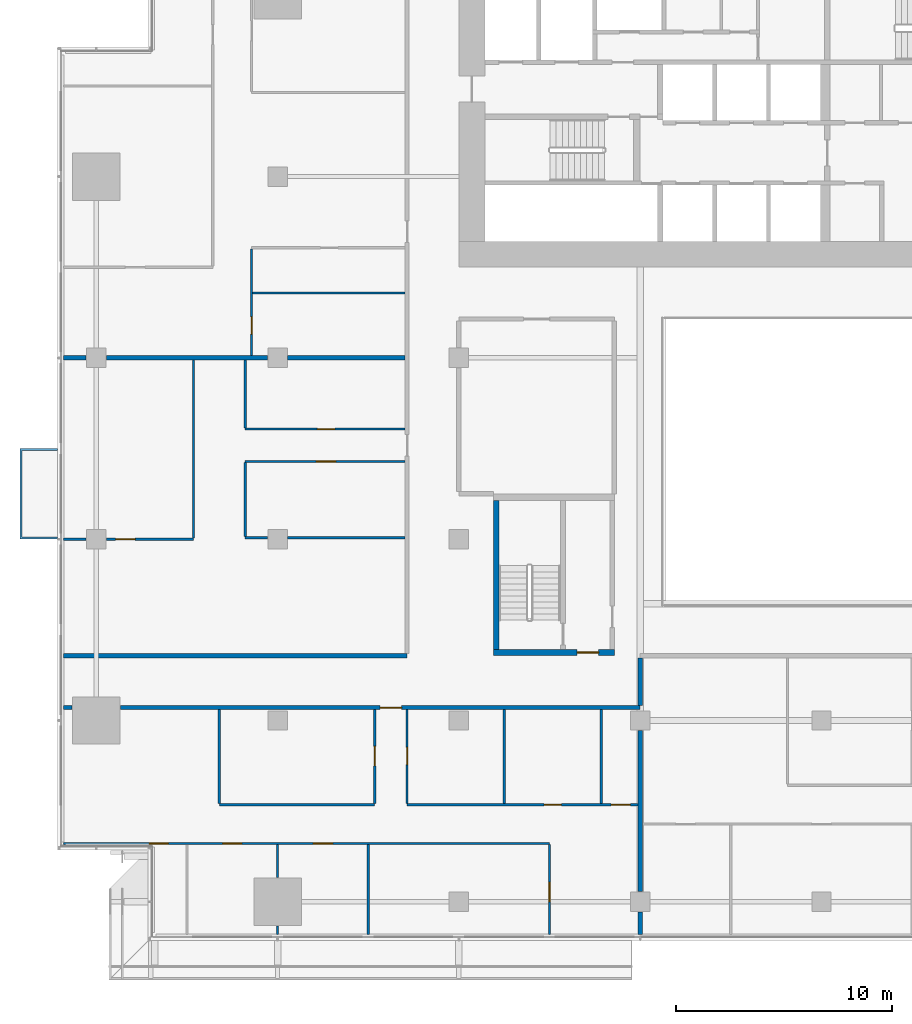
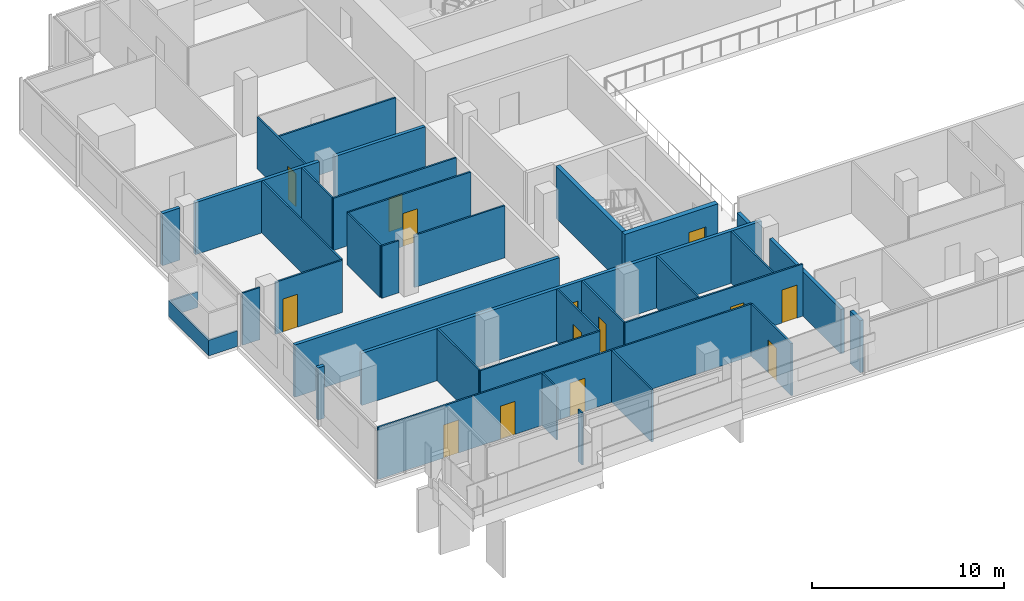
# One storey, part 17 of 29: 35 walls, 14 doors, 14 openings.
"""IFC4 building model written with IfcOpenShell, lengths in metres."""

from ifc_helpers import new_model, si_unit, direction, frame, frame_2d, origin, place, context, subcontext, project, spatial, polyline, rectangle, outline, extrude, material, layer, layer_set, type_object, element, fill, save


model = new_model("IFC4")

# Units and contexts
model_context = context("Model", 3, precision=1e-05, world=origin(), true_north=direction((0.0, 1.0)))
body_context = subcontext(model_context, "Body", "Model", "MODEL_VIEW")
ifc_project = project(units=[si_unit("LENGTHUNIT", "METRE"), si_unit("AREAUNIT", "SQUARE_METRE"), si_unit("VOLUMEUNIT", "CUBIC_METRE"), si_unit("PLANEANGLEUNIT", "RADIAN"), si_unit("MASSUNIT", "GRAM", prefix="KILO")], contexts=[model_context])

# Site, building, storey
site_placement = place(None, origin())
site = spatial("IfcSite", under=ifc_project, at=site_placement, CompositionType="ELEMENT")
building_placement = place(site_placement, origin())
building = spatial("IfcBuilding", under=site, at=building_placement, Name="Saffron Gate Tower", CompositionType="ELEMENT")
storey_placement = place(building_placement, frame((0.0, 0.0, 58.800048828125)))
storey = spatial("IfcBuildingStorey", under=building, at=storey_placement, Name="L13", CompositionType="ELEMENT", Elevation=58.800048828125)

# Wall
ifc_material_1 = material(Name="Concrete C70", Category="concrete")
ifc_layer_1 = layer(ifc_material_1, 0.25)
ifc_layer_set_1 = layer_set([ifc_layer_1], Name="CW2 RC core wall 250 C70")
wall_type_1 = type_object("IfcWallType", Name="CW2 RC core wall 250 C70", PredefinedType="SOLIDWALL", material=ifc_layer_set_1)
wall_1_placement = place(storey_placement, frame((68.324951171875, 43.5, 0.0), z_axis=(0.0, 0.0, 1.0), x_axis=(0.0, 1.0, 0.0)))
element("IfcWall", 1, at=wall_1_placement, inside=storey, type_object=wall_type_1, Name="Wall CW2-L13-D-2", PredefinedType="SOLIDWALL", context=body_context, shape_type="SweptSolid", body=[
    extrude(rectangle(XDim=6.89990234375, YDim=0.25, at=frame_2d((3.449951171875, 0.0))), origin(), (0.0, 0.0, 1.0), 3.320068359375),
])

# Wall, opening, door
ifc_layer_2 = layer(ifc_material_1, 0.300048828125)
ifc_layer_set_2 = layer_set([ifc_layer_2], Name="CW5 RC core wall 300 C70")
wall_type_2 = type_object("IfcWallType", Name="CW5 RC core wall 300 C70", PredefinedType="SOLIDWALL", material=ifc_layer_set_2)
wall_2_placement = place(storey_placement, frame((68.199951171875, 43.35009765625, 0.0), z_axis=(0.0, 0.0, 1.0), x_axis=(1.0, 0.0, 0.0)))
wall_2 = element("IfcWall", 2, at=wall_2_placement, inside=storey, type_object=wall_type_2, Name="Wall CW5-L13-D-1", PredefinedType="SOLIDWALL", context=body_context, shape_type="SweptSolid", body=[
    extrude(rectangle(XDim=5.60009765625, YDim=0.300048828125, at=frame_2d((2.800048828125, 0.0))), origin(), (0.0, 0.0, 1.0), 3.320068359375),
])
opening_1_placement = place(wall_2_placement, frame((3.875, 0.0, 0.0)))
opening_1 = element("IfcOpeningElement", 3, at=opening_1_placement, cuts=wall_2, Name="Opening CR-18", PredefinedType="OPENING", context=body_context, shape_type="SweptSolid", body=[
    extrude(rectangle(XDim=1.0, YDim=2.10009765625, at=frame_2d((0.5, 1.050048828125))), frame((0.0, 0.16015625, 0.0), z_axis=(0.0, -1.0, 0.0), x_axis=(1.0, 0.0, 0.0)), (0.0, 0.0, 1.0), 0.320068359375),
])
ifc_material_2 = material(Name="Steel fire door set", Category="steel")
door_type_1 = type_object("IfcDoorType", Name="CD4 Lobby door 1000x2100 EI 120", OperationType="NOTDEFINED", PredefinedType="DOOR", material=ifc_material_2)
door_1_placement = place(opening_1_placement, origin())
door_1 = element("IfcDoor", 4, at=door_1_placement, inside=storey, type_object=door_type_1, Name="DOOR CR-18", OperationType="SINGLE_SWING_RIGHT", OverallHeight=2.10009765625, OverallWidth=1.0, PredefinedType="DOOR", context=body_context, shape_type="SweptSolid", body=[
    extrude(rectangle(XDim=1.0, YDim=2.10009765625, at=frame_2d((0.5, 1.050048828125))), frame((0.0, 0.02490234375, 0.0), z_axis=(0.0, -1.0, 0.0), x_axis=(1.0, 0.0, 0.0)), (0.0, 0.0, 1.0), 0.050048828125),
])
fill(opening_1, door_1)

# Wall, openings, doors
ifc_material_3 = material(Name="Plasterboard on steel studs", Category="steel")
ifc_layer_3 = layer(ifc_material_3, 0.10009765625)
ifc_layer_set_3 = layer_set([ifc_layer_3], Name="PW1 Partition 100")
wall_type_3 = type_object("IfcWallType", Name="PW1 Partition 100", PredefinedType="PARTITIONING", material=ifc_layer_set_3)
wall_3_placement = place(storey_placement, frame((70.800048828125, 34.5, 0.0), z_axis=(0.0, 0.0, 1.0), x_axis=(-1.0, 0.0, 0.0)))
wall_3 = element("IfcWall", 5, at=wall_3_placement, inside=storey, type_object=wall_type_3, Name="Partition A3-1", PredefinedType="PARTITIONING", context=body_context, shape_type="SweptSolid", body=[
    extrude(rectangle(XDim=22.52001953125, YDim=0.10009765625, at=frame_2d((11.260009765625, 0.0))), origin(), (0.0, 0.0, 1.0), 3.320068359375),
])
opening_2_placement = place(wall_3_placement, frame((10.050048828125, 0.0, 0.0)))
opening_2 = element("IfcOpeningElement", 6, at=opening_2_placement, cuts=wall_3, Name="Opening A3-10", PredefinedType="OPENING", context=body_context, shape_type="SweptSolid", body=[
    extrude(rectangle(XDim=0.89990234375, YDim=2.10009765625, at=frame_2d((0.449951171875, 1.050048828125))), frame((0.0, 0.06005859375, 0.0), z_axis=(0.0, -1.0, 0.0), x_axis=(1.0, 0.0, 0.0)), (0.0, 0.0, 1.0), 0.1201171875),
])
opening_3_placement = place(wall_3_placement, frame((14.25, 0.0, 0.0)))
opening_3 = element("IfcOpeningElement", 7, at=opening_3_placement, cuts=wall_3, Name="Opening A3-9", PredefinedType="OPENING", context=body_context, shape_type="SweptSolid", body=[
    extrude(rectangle(XDim=0.89990234375, YDim=2.10009765625, at=frame_2d((0.449951171875, 1.050048828125))), frame((0.0, 0.06005859375, 0.0), z_axis=(0.0, -1.0, 0.0), x_axis=(1.0, 0.0, 0.0)), (0.0, 0.0, 1.0), 0.1201171875),
])
opening_4_placement = place(wall_3_placement, frame((17.65380859375, 0.0, 0.0)))
opening_4 = element("IfcOpeningElement", 8, at=opening_4_placement, cuts=wall_3, Name="Opening A3-8", PredefinedType="OPENING", context=body_context, shape_type="SweptSolid", body=[
    extrude(rectangle(XDim=0.89990234375, YDim=2.10009765625, at=frame_2d((0.449951171875, 1.050048828125))), frame((0.0, 0.06005859375, 0.0), z_axis=(0.0, -1.0, 0.0), x_axis=(1.0, 0.0, 0.0)), (0.0, 0.0, 1.0), 0.1201171875),
])
ifc_material_4 = material(Name="Timber door set", Category="wood")
door_type_2 = type_object("IfcDoorType", Name="RD1 Room door 900x2100", OperationType="NOTDEFINED", PredefinedType="DOOR", material=ifc_material_4)
door_2_placement = place(opening_2_placement, origin())
door_2 = element("IfcDoor", 9, at=door_2_placement, inside=storey, type_object=door_type_2, Name="Door A3-10", OperationType="SINGLE_SWING_RIGHT", OverallHeight=2.10009765625, OverallWidth=0.89990234375, PredefinedType="DOOR", context=body_context, shape_type="SweptSolid", body=[
    extrude(rectangle(XDim=0.89990234375, YDim=2.10009765625, at=frame_2d((0.449951171875, 1.050048828125))), frame((0.0, 0.02490234375, 0.0), z_axis=(0.0, -1.0, 0.0), x_axis=(1.0, 0.0, 0.0)), (0.0, 0.0, 1.0), 0.050048828125),
])
fill(opening_2, door_2)
door_3_placement = place(opening_3_placement, origin())
door_3 = element("IfcDoor", 10, at=door_3_placement, inside=storey, type_object=door_type_2, Name="Door A3-9", OperationType="SINGLE_SWING_RIGHT", OverallHeight=2.10009765625, OverallWidth=0.89990234375, PredefinedType="DOOR", context=body_context, shape_type="SweptSolid", body=[
    extrude(rectangle(XDim=0.89990234375, YDim=2.10009765625, at=frame_2d((0.449951171875, 1.050048828125))), frame((0.0, 0.02490234375, 0.0), z_axis=(0.0, -1.0, 0.0), x_axis=(1.0, 0.0, 0.0)), (0.0, 0.0, 1.0), 0.050048828125),
])
fill(opening_3, door_3)
door_4_placement = place(opening_4_placement, origin())
door_4 = element("IfcDoor", 11, at=door_4_placement, inside=storey, type_object=door_type_2, Name="Door A3-8", OperationType="SINGLE_SWING_LEFT", OverallHeight=2.10009765625, OverallWidth=0.89990234375, PredefinedType="DOOR", context=body_context, shape_type="SweptSolid", body=[
    extrude(rectangle(XDim=0.89990234375, YDim=2.10009765625, at=frame_2d((0.449951171875, 1.050048828125))), frame((0.0, 0.02490234375, 0.0), z_axis=(0.0, -1.0, 0.0), x_axis=(1.0, 0.0, 0.0)), (0.0, 0.0, 1.0), 0.050048828125),
])
fill(opening_4, door_4)

# Wall
wall_4_placement = place(storey_placement, frame((55.5, 36.300048828125, 0.0), z_axis=(0.0, 0.0, 1.0), x_axis=(1.0, 0.0, 0.0)))
element("IfcWall", 12, at=wall_4_placement, inside=storey, type_object=wall_type_3, Name="Partition A3-5", PredefinedType="PARTITIONING", context=body_context, shape_type="SweptSolid", body=[
    extrude(rectangle(XDim=7.199951171875, YDim=0.10009765625, at=frame_2d((3.60009765625, 0.0))), origin(), (0.0, 0.0, 1.0), 3.320068359375),
])

# Wall, openings, doors
wall_5_placement = place(storey_placement, frame((64.199951171875, 36.300048828125, 0.0), z_axis=(0.0, 0.0, 1.0), x_axis=(1.0, 0.0, 0.0)))
wall_5 = element("IfcWall", 13, at=wall_5_placement, inside=storey, type_object=wall_type_3, Name="Partition A3-6", PredefinedType="PARTITIONING", context=body_context, shape_type="SweptSolid", body=[
    extrude(rectangle(XDim=10.699951171875, YDim=0.10009765625, at=frame_2d((5.35009765625, 0.0))), origin(), (0.0, 0.0, 1.0), 3.320068359375),
])
opening_5_placement = place(wall_5_placement, frame((6.35009765625, 0.0, 0.0)))
opening_5 = element("IfcOpeningElement", 14, at=opening_5_placement, cuts=wall_5, Name="Opening A3-38", PredefinedType="OPENING", context=body_context, shape_type="SweptSolid", body=[
    extrude(rectangle(XDim=0.800048828125, YDim=2.10009765625, at=frame_2d((0.39990234375, 1.050048828125))), frame((0.0, 0.06005859375, 0.0), z_axis=(0.0, -1.0, 0.0), x_axis=(1.0, 0.0, 0.0)), (0.0, 0.0, 1.0), 0.1201171875),
])
opening_6_placement = place(wall_5_placement, frame((9.449951171875, 0.0, 0.0)))
opening_6 = element("IfcOpeningElement", 15, at=opening_6_placement, cuts=wall_5, Name="Opening A3-13", PredefinedType="OPENING", context=body_context, shape_type="SweptSolid", body=[
    extrude(rectangle(XDim=0.89990234375, YDim=2.10009765625, at=frame_2d((0.449951171875, 1.050048828125))), frame((0.0, 0.06005859375, 0.0), z_axis=(0.0, -1.0, 0.0), x_axis=(1.0, 0.0, 0.0)), (0.0, 0.0, 1.0), 0.1201171875),
])
door_5_placement = place(opening_6_placement, origin())
door_5 = element("IfcDoor", 16, at=door_5_placement, inside=storey, type_object=door_type_2, Name="Door A3-13", OperationType="SINGLE_SWING_RIGHT", OverallHeight=2.10009765625, OverallWidth=0.89990234375, PredefinedType="DOOR", context=body_context, shape_type="SweptSolid", body=[
    extrude(rectangle(XDim=0.89990234375, YDim=2.10009765625, at=frame_2d((0.449951171875, 1.050048828125))), frame((0.0, 0.02490234375, 0.0), z_axis=(0.0, -1.0, 0.0), x_axis=(1.0, 0.0, 0.0)), (0.0, 0.0, 1.0), 0.050048828125),
])
fill(opening_6, door_5)
door_type_3 = type_object("IfcDoorType", Name="RD2 Bathroom door 800x2100", OperationType="NOTDEFINED", PredefinedType="DOOR", material=ifc_material_4)
door_6_placement = place(opening_5_placement, origin())
door_6 = element("IfcDoor", 17, at=door_6_placement, inside=storey, type_object=door_type_3, Name="Door A3-38", OperationType="SINGLE_SWING_LEFT", OverallHeight=2.10009765625, OverallWidth=0.800048828125, PredefinedType="DOOR", context=body_context, shape_type="SweptSolid", body=[
    extrude(rectangle(XDim=0.800048828125, YDim=2.10009765625, at=frame_2d((0.39990234375, 1.050048828125))), frame((0.0, 0.02490234375, 0.0), z_axis=(0.0, -1.0, 0.0), x_axis=(1.0, 0.0, 0.0)), (0.0, 0.0, 1.0), 0.050048828125),
])
fill(opening_5, door_6)

# Wall
wall_6_placement = place(storey_placement, frame((48.280029296875, 48.60009765625, 0.0), z_axis=(0.0, 0.0, 1.0), x_axis=(1.0, 0.0, 0.0)))
element("IfcWall", 18, at=wall_6_placement, inside=storey, type_object=wall_type_3, Name="Partition A3-19", PredefinedType="PARTITIONING", context=body_context, shape_type="SweptSolid", body=[
    extrude(rectangle(XDim=1.050048828125, YDim=0.10009765625, at=frame_2d((0.52490234375, 0.0))), origin(), (0.0, 0.0, 1.0), 3.320068359375),
])

# Wall, opening, door
wall_7_placement = place(storey_placement, frame((50.27001953125, 48.60009765625, 0.0), z_axis=(0.0, 0.0, 1.0), x_axis=(1.0, 0.0, 0.0)))
wall_7 = element("IfcWall", 19, at=wall_7_placement, inside=storey, type_object=wall_type_3, Name="Partition A3-20", PredefinedType="PARTITIONING", context=body_context, shape_type="SweptSolid", body=[
    extrude(rectangle(XDim=4.030029296875, YDim=0.10009765625, at=frame_2d((2.01513671875, 0.0))), origin(), (0.0, 0.0, 1.0), 3.320068359375),
])
opening_7_placement = place(wall_7_placement, frame((0.429931640625, 0.0, 0.0)))
opening_7 = element("IfcOpeningElement", 20, at=opening_7_placement, cuts=wall_7, Name="Opening A3-25", PredefinedType="OPENING", context=body_context, shape_type="SweptSolid", body=[
    extrude(rectangle(XDim=0.89990234375, YDim=2.10009765625, at=frame_2d((0.449951171875, 1.050048828125))), frame((0.0, 0.06005859375, 0.0), z_axis=(0.0, -1.0, 0.0), x_axis=(1.0, 0.0, 0.0)), (0.0, 0.0, 1.0), 0.1201171875),
])
door_7_placement = place(opening_7_placement, origin())
door_7 = element("IfcDoor", 21, at=door_7_placement, inside=storey, type_object=door_type_2, Name="Door A3-25", OperationType="SINGLE_SWING_LEFT", OverallHeight=2.10009765625, OverallWidth=0.89990234375, PredefinedType="DOOR", context=body_context, shape_type="SweptSolid", body=[
    extrude(rectangle(XDim=0.89990234375, YDim=2.10009765625, at=frame_2d((0.449951171875, 1.050048828125))), frame((0.0, 0.02490234375, 0.0), z_axis=(0.0, -1.0, 0.0), x_axis=(1.0, 0.0, 0.0)), (0.0, 0.0, 1.0), 0.050048828125),
])
fill(opening_7, door_7)

# Walls
wall_8_placement = place(storey_placement, frame((56.699951171875, 48.666748046875, 0.0), z_axis=(0.0, 0.0, 1.0), x_axis=(1.0, 0.0, 0.0)))
element("IfcWall", 22, at=wall_8_placement, inside=storey, type_object=wall_type_3, Name="Partition A3-23", PredefinedType="PARTITIONING", context=body_context, shape_type="SweptSolid", body=[
    extrude(rectangle(XDim=1.030029296875, YDim=0.10009765625, at=frame_2d((0.51513671875, 0.0))), origin(), (0.0, 0.0, 1.0), 3.320068359375),
])
wall_9_placement = place(storey_placement, frame((58.669921875, 48.666748046875, 0.0), z_axis=(0.0, 0.0, 1.0), x_axis=(1.0, 0.0, 0.0)))
element("IfcWall", 23, at=wall_9_placement, inside=storey, type_object=wall_type_3, Name="Partition A3-24", PredefinedType="PARTITIONING", context=body_context, shape_type="SweptSolid", body=[
    extrude(rectangle(XDim=5.43017578125, YDim=0.10009765625, at=frame_2d((2.715087890625, 0.0))), origin(), (0.0, 0.0, 1.0), 3.320068359375),
])

# Wall, opening, door
wall_10_placement = place(storey_placement, frame((64.10009765625, 52.199951171875, 0.0), z_axis=(0.0, 0.0, 1.0), x_axis=(-1.0, 0.0, 0.0)))
wall_10 = element("IfcWall", 24, at=wall_10_placement, inside=storey, type_object=wall_type_3, Name="Partition A3-29", PredefinedType="PARTITIONING", context=body_context, shape_type="SweptSolid", body=[
    extrude(rectangle(XDim=7.400146484375, YDim=0.10009765625, at=frame_2d((3.7001953125, 0.0))), origin(), (0.0, 0.0, 1.0), 3.320068359375),
])
opening_8_placement = place(wall_10_placement, frame((3.199951171875, 0.0, 0.0)))
opening_8 = element("IfcOpeningElement", 25, at=opening_8_placement, cuts=wall_10, Name="Opening A3-26", PredefinedType="OPENING", context=body_context, shape_type="SweptSolid", body=[
    extrude(rectangle(XDim=0.89990234375, YDim=2.10009765625, at=frame_2d((0.449951171875, 1.050048828125))), frame((0.0, 0.06005859375, 0.0), z_axis=(0.0, -1.0, 0.0), x_axis=(1.0, 0.0, 0.0)), (0.0, 0.0, 1.0), 0.1201171875),
])
door_8_placement = place(opening_8_placement, origin())
door_8 = element("IfcDoor", 26, at=door_8_placement, inside=storey, type_object=door_type_2, Name="Door A3-26", OperationType="SINGLE_SWING_LEFT", OverallHeight=2.10009765625, OverallWidth=0.89990234375, PredefinedType="DOOR", context=body_context, shape_type="SweptSolid", body=[
    extrude(rectangle(XDim=0.89990234375, YDim=2.10009765625, at=frame_2d((0.449951171875, 1.050048828125))), frame((0.0, 0.02490234375, 0.0), z_axis=(0.0, -1.0, 0.0), x_axis=(1.0, 0.0, 0.0)), (0.0, 0.0, 1.0), 0.050048828125),
])
fill(opening_8, door_8)

wall_11_placement = place(storey_placement, frame((56.699951171875, 53.699951171875, 0.0), z_axis=(0.0, 0.0, 1.0), x_axis=(1.0, 0.0, 0.0)))
wall_11 = element("IfcWall", 27, at=wall_11_placement, inside=storey, type_object=wall_type_3, Name="Partition A3-31", PredefinedType="PARTITIONING", context=body_context, shape_type="SweptSolid", body=[
    extrude(rectangle(XDim=7.400146484375, YDim=0.10009765625, at=frame_2d((3.7001953125, 0.0))), origin(), (0.0, 0.0, 1.0), 3.320068359375),
])
opening_9_placement = place(wall_11_placement, frame((3.35009765625, 0.0, 0.0)))
opening_9 = element("IfcOpeningElement", 28, at=opening_9_placement, cuts=wall_11, Name="Opening A3-43", PredefinedType="OPENING", context=body_context, shape_type="SweptSolid", body=[
    extrude(rectangle(XDim=0.800048828125, YDim=2.10009765625, at=frame_2d((0.39990234375, 1.050048828125))), frame((0.0, 0.06005859375, 0.0), z_axis=(0.0, -1.0, 0.0), x_axis=(1.0, 0.0, 0.0)), (0.0, 0.0, 1.0), 0.1201171875),
])
door_9_placement = place(opening_9_placement, origin())
door_9 = element("IfcDoor", 29, at=door_9_placement, inside=storey, type_object=door_type_3, Name="Door A3-43", OperationType="SINGLE_SWING_RIGHT", OverallHeight=2.10009765625, OverallWidth=0.800048828125, PredefinedType="DOOR", context=body_context, shape_type="SweptSolid", body=[
    extrude(rectangle(XDim=0.800048828125, YDim=2.10009765625, at=frame_2d((0.39990234375, 1.050048828125))), frame((0.0, 0.02490234375, 0.0), z_axis=(0.0, -1.0, 0.0), x_axis=(1.0, 0.0, 0.0)), (0.0, 0.0, 1.0), 0.050048828125),
])
fill(opening_9, door_9)

# Walls
wall_12_placement = place(storey_placement, frame((57.050048828125, 60.0, 0.0), z_axis=(0.0, 0.0, 1.0), x_axis=(1.0, 0.0, 0.0)))
element("IfcWall", 30, at=wall_12_placement, inside=storey, type_object=wall_type_3, Name="Partition A3-41", PredefinedType="PARTITIONING", context=body_context, shape_type="SweptSolid", body=[
    extrude(rectangle(XDim=7.050048828125, YDim=0.10009765625, at=frame_2d((3.52490234375, 0.0))), origin(), (0.0, 0.0, 1.0), 3.320068359375),
])
wall_13_placement = place(storey_placement, frame((54.300048828125, 56.89990234375, 0.0), z_axis=(0.0, 0.0, 1.0), x_axis=(0.0, -1.0, 0.0)))
element("IfcWall", 31, at=wall_13_placement, inside=storey, type_object=wall_type_3, Name="Partition A3-52", PredefinedType="PARTITIONING", context=body_context, shape_type="SweptSolid", body=[
    extrude(rectangle(XDim=8.25, YDim=0.10009765625, at=frame_2d((4.125, 0.0))), origin(), (0.0, 0.0, 1.0), 3.320068359375),
])
wall_14_placement = place(storey_placement, frame((55.5, 40.699951171875, 0.0), z_axis=(0.0, 0.0, 1.0), x_axis=(0.0, -1.0, 0.0)))
element("IfcWall", 32, at=wall_14_placement, inside=storey, type_object=wall_type_3, Name="Partition A3-54", PredefinedType="PARTITIONING", context=body_context, shape_type="SweptSolid", body=[
    extrude(rectangle(XDim=4.349853515625, YDim=0.10009765625, at=frame_2d((2.1748046875, 0.0))), origin(), (0.0, 0.0, 1.0), 3.320068359375),
])
wall_15_placement = place(storey_placement, frame((56.699951171875, 52.14990234375, 0.0), z_axis=(0.0, 0.0, 1.0), x_axis=(0.0, -1.0, 0.0)))
element("IfcWall", 33, at=wall_15_placement, inside=storey, type_object=wall_type_3, Name="Partition A3-55", PredefinedType="PARTITIONING", context=body_context, shape_type="SweptSolid", body=[
    extrude(rectangle(XDim=3.43310546875, YDim=0.10009765625, at=frame_2d((1.716552734375, 0.0))), origin(), (0.0, 0.0, 1.0), 3.320068359375),
])
wall_16_placement = place(storey_placement, frame((56.699951171875, 56.89990234375, 0.0), z_axis=(0.0, 0.0, 1.0), x_axis=(0.0, -1.0, 0.0)))
element("IfcWall", 34, at=wall_16_placement, inside=storey, type_object=wall_type_3, Name="Partition A3-56", PredefinedType="PARTITIONING", context=body_context, shape_type="SweptSolid", body=[
    extrude(rectangle(XDim=3.14990234375, YDim=0.10009765625, at=frame_2d((1.574951171875, 0.0))), origin(), (0.0, 0.0, 1.0), 3.320068359375),
])

# Wall, opening, door
wall_17_placement = place(storey_placement, frame((57.0, 62.050048828125, 0.0), z_axis=(0.0, 0.0, 1.0), x_axis=(0.0, -1.0, 0.0)))
wall_17 = element("IfcWall", 35, at=wall_17_placement, inside=storey, type_object=wall_type_3, Name="Partition A3-57", PredefinedType="PARTITIONING", context=body_context, shape_type="SweptSolid", body=[
    extrude(rectangle(XDim=4.949951171875, YDim=0.10009765625, at=frame_2d((2.47509765625, 0.0))), origin(), (0.0, 0.0, 1.0), 3.320068359375),
])
opening_10_placement = place(wall_17_placement, frame((3.14990234375, 0.0, 0.0)))
opening_10 = element("IfcOpeningElement", 36, at=opening_10_placement, cuts=wall_17, Name="Opening A3-44", PredefinedType="OPENING", context=body_context, shape_type="SweptSolid", body=[
    extrude(rectangle(XDim=0.800048828125, YDim=2.10009765625, at=frame_2d((0.39990234375, 1.050048828125))), frame((0.0, 0.06005859375, 0.0), z_axis=(0.0, -1.0, 0.0), x_axis=(1.0, 0.0, 0.0)), (0.0, 0.0, 1.0), 0.1201171875),
])
door_10_placement = place(opening_10_placement, origin())
door_10 = element("IfcDoor", 37, at=door_10_placement, inside=storey, type_object=door_type_3, Name="Door A3-44", OperationType="SINGLE_SWING_RIGHT", OverallHeight=2.10009765625, OverallWidth=0.800048828125, PredefinedType="DOOR", context=body_context, shape_type="SweptSolid", body=[
    extrude(rectangle(XDim=0.800048828125, YDim=2.10009765625, at=frame_2d((0.39990234375, 1.050048828125))), frame((0.0, 0.02490234375, 0.0), z_axis=(0.0, -1.0, 0.0), x_axis=(1.0, 0.0, 0.0)), (0.0, 0.0, 1.0), 0.050048828125),
])
fill(opening_10, door_10)

# Walls
wall_18_placement = place(storey_placement, frame((58.199951171875, 30.679931640625, 0.0), z_axis=(0.0, 0.0, 1.0), x_axis=(0.0, -1.0, 0.0)))
element("IfcWall", 38, at=wall_18_placement, inside=storey, type_object=wall_type_3, Name="Partition A3-59", PredefinedType="PARTITIONING", context=body_context, shape_type="SweptSolid", body=[
    extrude(rectangle(XDim=0.39990234375, YDim=0.10009765625, at=frame_2d((0.199951171875, 0.0))), origin(), (0.0, 0.0, 1.0), 3.320068359375),
])
wall_19_placement = place(storey_placement, frame((58.199951171875, 34.449951171875, 0.0), z_axis=(0.0, 0.0, 1.0), x_axis=(0.0, -1.0, 0.0)))
element("IfcWall", 39, at=wall_19_placement, inside=storey, type_object=wall_type_3, Name="Partition A3-60", PredefinedType="PARTITIONING", context=body_context, shape_type="SweptSolid", body=[
    extrude(rectangle(XDim=1.530029296875, YDim=0.10009765625, at=frame_2d((0.76513671875, 0.0))), origin(), (0.0, 0.0, 1.0), 3.320068359375),
])
wall_20_placement = place(storey_placement, frame((62.39990234375, 34.449951171875, 0.0), z_axis=(0.0, 0.0, 1.0), x_axis=(0.0, -1.0, 0.0)))
element("IfcWall", 40, at=wall_20_placement, inside=storey, type_object=wall_type_3, Name="Partition A3-61", PredefinedType="PARTITIONING", context=body_context, shape_type="SweptSolid", body=[
    extrude(rectangle(XDim=4.169921875, YDim=0.10009765625, at=frame_2d((2.0849609375, 0.0))), origin(), (0.0, 0.0, 1.0), 3.320068359375),
])

# Wall, opening, door
wall_21_placement = place(storey_placement, frame((62.699951171875, 36.35009765625, 0.0), z_axis=(0.0, 0.0, 1.0), x_axis=(0.0, 1.0, 0.0)))
wall_21 = element("IfcWall", 41, at=wall_21_placement, inside=storey, type_object=wall_type_3, Name="Partition A3-62", PredefinedType="PARTITIONING", context=body_context, shape_type="SweptSolid", body=[
    extrude(rectangle(XDim=4.349853515625, YDim=0.10009765625, at=frame_2d((2.1748046875, 0.0))), origin(), (0.0, 0.0, 1.0), 3.320068359375),
])
opening_11_placement = place(wall_21_placement, frame((1.75, 0.0, 0.0)))
opening_11 = element("IfcOpeningElement", 42, at=opening_11_placement, cuts=wall_21, Name="Opening A3-12", PredefinedType="OPENING", context=body_context, shape_type="SweptSolid", body=[
    extrude(rectangle(XDim=0.89990234375, YDim=2.10009765625, at=frame_2d((0.449951171875, 1.050048828125))), frame((0.0, 0.06005859375, 0.0), z_axis=(0.0, -1.0, 0.0), x_axis=(1.0, 0.0, 0.0)), (0.0, 0.0, 1.0), 0.1201171875),
])
door_11_placement = place(opening_11_placement, origin())
door_11 = element("IfcDoor", 43, at=door_11_placement, inside=storey, type_object=door_type_2, Name="Door A3-12", OperationType="SINGLE_SWING_RIGHT", OverallHeight=2.10009765625, OverallWidth=0.89990234375, PredefinedType="DOOR", context=body_context, shape_type="SweptSolid", body=[
    extrude(rectangle(XDim=0.89990234375, YDim=2.10009765625, at=frame_2d((0.449951171875, 1.050048828125))), frame((0.0, 0.02490234375, 0.0), z_axis=(0.0, -1.0, 0.0), x_axis=(1.0, 0.0, 0.0)), (0.0, 0.0, 1.0), 0.050048828125),
])
fill(opening_11, door_11)

wall_22_placement = place(storey_placement, frame((64.199951171875, 40.699951171875, 0.0), z_axis=(0.0, 0.0, 1.0), x_axis=(0.0, -1.0, 0.0)))
wall_22 = element("IfcWall", 44, at=wall_22_placement, inside=storey, type_object=wall_type_3, Name="Partition A3-64", PredefinedType="PARTITIONING", context=body_context, shape_type="SweptSolid", body=[
    extrude(rectangle(XDim=4.349853515625, YDim=0.10009765625, at=frame_2d((2.1748046875, 0.0))), origin(), (0.0, 0.0, 1.0), 3.320068359375),
])
opening_12_placement = place(wall_22_placement, frame((1.75, 0.0, 0.0)))
opening_12 = element("IfcOpeningElement", 45, at=opening_12_placement, cuts=wall_22, Name="Opening A3-37", PredefinedType="OPENING", context=body_context, shape_type="SweptSolid", body=[
    extrude(rectangle(XDim=0.800048828125, YDim=2.10009765625, at=frame_2d((0.39990234375, 1.050048828125))), frame((0.0, 0.06005859375, 0.0), z_axis=(0.0, -1.0, 0.0), x_axis=(1.0, 0.0, 0.0)), (0.0, 0.0, 1.0), 0.1201171875),
])
door_12_placement = place(opening_12_placement, origin())
door_12 = element("IfcDoor", 46, at=door_12_placement, inside=storey, type_object=door_type_3, Name="Door A3-37", OperationType="SINGLE_SWING_LEFT", OverallHeight=2.10009765625, OverallWidth=0.800048828125, PredefinedType="DOOR", context=body_context, shape_type="SweptSolid", body=[
    extrude(rectangle(XDim=0.800048828125, YDim=2.10009765625, at=frame_2d((0.39990234375, 1.050048828125))), frame((0.0, 0.02490234375, 0.0), z_axis=(0.0, -1.0, 0.0), x_axis=(1.0, 0.0, 0.0)), (0.0, 0.0, 1.0), 0.050048828125),
])
fill(opening_12, door_12)

# Wall
wall_23_placement = place(storey_placement, frame((68.699951171875, 40.699951171875, 0.0), z_axis=(0.0, 0.0, 1.0), x_axis=(0.0, -1.0, 0.0)))
element("IfcWall", 47, at=wall_23_placement, inside=storey, type_object=wall_type_3, Name="Partition A3-67", PredefinedType="PARTITIONING", context=body_context, shape_type="SweptSolid", body=[
    extrude(rectangle(XDim=4.349853515625, YDim=0.10009765625, at=frame_2d((2.1748046875, 0.0))), origin(), (0.0, 0.0, 1.0), 3.320068359375),
])

# Wall, opening, door
wall_24_placement = place(storey_placement, frame((70.800048828125, 30.280029296875, 0.0), z_axis=(0.0, 0.0, 1.0), x_axis=(0.0, 1.0, 0.0)))
wall_24 = element("IfcWall", 48, at=wall_24_placement, inside=storey, type_object=wall_type_3, Name="Partition A3-68", PredefinedType="PARTITIONING", context=body_context, shape_type="SweptSolid", body=[
    extrude(rectangle(XDim=4.169921875, YDim=0.10009765625, at=frame_2d((2.0849609375, 0.0))), origin(), (0.0, 0.0, 1.0), 3.320068359375),
])
opening_13_placement = place(wall_24_placement, frame((1.52001953125, 0.0, 0.0)))
opening_13 = element("IfcOpeningElement", 49, at=opening_13_placement, cuts=wall_24, Name="Opening A3-11", PredefinedType="OPENING", context=body_context, shape_type="SweptSolid", body=[
    extrude(rectangle(XDim=0.89990234375, YDim=2.10009765625, at=frame_2d((0.449951171875, 1.050048828125))), frame((0.0, 0.06005859375, 0.0), z_axis=(0.0, -1.0, 0.0), x_axis=(1.0, 0.0, 0.0)), (0.0, 0.0, 1.0), 0.1201171875),
])
door_13_placement = place(opening_13_placement, origin())
door_13 = element("IfcDoor", 50, at=door_13_placement, inside=storey, type_object=door_type_2, Name="Door A3-11", OperationType="SINGLE_SWING_LEFT", OverallHeight=2.10009765625, OverallWidth=0.89990234375, PredefinedType="DOOR", context=body_context, shape_type="SweptSolid", body=[
    extrude(rectangle(XDim=0.89990234375, YDim=2.10009765625, at=frame_2d((0.449951171875, 1.050048828125))), frame((0.0, 0.02490234375, 0.0), z_axis=(0.0, -1.0, 0.0), x_axis=(1.0, 0.0, 0.0)), (0.0, 0.0, 1.0), 0.050048828125),
])
fill(opening_13, door_13)

# Walls
wall_25_placement = place(storey_placement, frame((73.199951171875, 40.699951171875, 0.0), z_axis=(0.0, 0.0, 1.0), x_axis=(0.0, -1.0, 0.0)))
element("IfcWall", 51, at=wall_25_placement, inside=storey, type_object=wall_type_3, Name="Partition A3-69", PredefinedType="PARTITIONING", context=body_context, shape_type="SweptSolid", body=[
    extrude(rectangle(XDim=4.349853515625, YDim=0.10009765625, at=frame_2d((2.1748046875, 0.0))), origin(), (0.0, 0.0, 1.0), 3.320068359375),
])
ifc_material_5 = material(Name="Clay brick masonry, rendered", Category="masonry")
ifc_layer_4 = layer(ifc_material_5, 0.199951171875)
ifc_layer_set_4 = layer_set([ifc_layer_4], Name="PW2 Demising wall 200")
wall_type_4 = type_object("IfcWallType", Name="PW2 Demising wall 200", PredefinedType="PARTITIONING", material=ifc_layer_set_4)
wall_26_placement = place(storey_placement, frame((48.280029296875, 57.0, 0.0), z_axis=(0.0, 0.0, 1.0), x_axis=(1.0, 0.0, 0.0)))
element("IfcWall", 52, at=wall_26_placement, inside=storey, type_object=wall_type_4, Name="Wall A3-33", PredefinedType="PARTITIONING", context=body_context, shape_type="SweptSolid", body=[
    extrude(rectangle(XDim=1.050048828125, YDim=0.199951171875, at=frame_2d((0.52490234375, 0.0))), origin(), (0.0, 0.0, 1.0), 3.320068359375),
])
wall_27_placement = place(storey_placement, frame((50.27001953125, 57.0, 0.0), z_axis=(0.0, 0.0, 1.0), x_axis=(1.0, 0.0, 0.0)))
element("IfcWall", 53, at=wall_27_placement, inside=storey, type_object=wall_type_4, Name="Wall A3-34", PredefinedType="PARTITIONING", context=body_context, shape_type="SweptSolid", body=[
    extrude(rectangle(XDim=7.4599609375, YDim=0.199951171875, at=frame_2d((3.72998046875, 0.0))), origin(), (0.0, 0.0, 1.0), 3.320068359375),
])
wall_28_placement = place(storey_placement, frame((58.669921875, 57.0, 0.0), z_axis=(0.0, 0.0, 1.0), x_axis=(1.0, 0.0, 0.0)))
element("IfcWall", 54, at=wall_28_placement, inside=storey, type_object=wall_type_4, Name="Wall A3-35", PredefinedType="PARTITIONING", context=body_context, shape_type="SweptSolid", body=[
    extrude(rectangle(XDim=5.43017578125, YDim=0.199951171875, at=frame_2d((2.715087890625, 0.0))), origin(), (0.0, 0.0, 1.0), 3.320068359375),
])
wall_29_placement = place(storey_placement, frame((75.0, 31.330078125, 0.0), z_axis=(0.0, 0.0, 1.0), x_axis=(0.0, -1.0, 0.0)))
element("IfcWall", 55, at=wall_29_placement, inside=storey, type_object=wall_type_4, Name="Wall A3-72", PredefinedType="PARTITIONING", context=body_context, shape_type="SweptSolid", body=[
    extrude(rectangle(XDim=1.050048828125, YDim=0.199951171875, at=frame_2d((0.52490234375, 0.0))), origin(), (0.0, 0.0, 1.0), 3.320068359375),
])
wall_30_placement = place(storey_placement, frame((75.0, 39.72998046875, 0.0), z_axis=(0.0, 0.0, 1.0), x_axis=(0.0, -1.0, 0.0)))
element("IfcWall", 56, at=wall_30_placement, inside=storey, type_object=wall_type_4, Name="Wall A3-73", PredefinedType="PARTITIONING", context=body_context, shape_type="SweptSolid", body=[
    extrude(rectangle(XDim=7.4599609375, YDim=0.199951171875, at=frame_2d((3.72998046875, 0.0))), origin(), (0.0, 0.0, 1.0), 2.829833984375),
])
ifc_layer_5 = layer(ifc_material_5, 0.199951171875)
ifc_layer_set_5 = layer_set([ifc_layer_5], Name="PW3 Corridor wall 200")
wall_type_5 = type_object("IfcWallType", Name="PW3 Corridor wall 200", PredefinedType="PARTITIONING", material=ifc_layer_set_5)
wall_31_placement = place(storey_placement, frame((48.280029296875, 40.800048828125, 0.0), z_axis=(0.0, 0.0, 1.0), x_axis=(1.0, 0.0, 0.0)))
element("IfcWall", 57, at=wall_31_placement, inside=storey, type_object=wall_type_5, Name="Wall A3-11", PredefinedType="PARTITIONING", context=body_context, shape_type="SweptSolid", body=[
    extrude(rectangle(XDim=0.39990234375, YDim=0.199951171875, at=frame_2d((0.199951171875, 0.0))), origin(), (0.0, 0.0, 1.0), 3.320068359375),
])

# Wall, opening, door
wall_32_placement = place(storey_placement, frame((75.0, 40.800048828125, 0.0), z_axis=(0.0, 0.0, 1.0), x_axis=(-1.0, 0.0, 0.0)))
wall_32 = element("IfcWall", 58, at=wall_32_placement, inside=storey, type_object=wall_type_5, Name="Wall A3-12", PredefinedType="PARTITIONING", context=body_context, shape_type="SweptSolid", body=[
    extrude(rectangle(XDim=24.080078125, YDim=0.199951171875, at=frame_2d((12.0400390625, 0.0))), origin(), (0.0, 0.0, 1.0), 3.320068359375),
])
opening_14_placement = place(wall_32_placement, frame((11.050048828125, 0.0, 0.0)))
opening_14 = element("IfcOpeningElement", 59, at=opening_14_placement, cuts=wall_32, Name="Opening A3-1", PredefinedType="OPENING", context=body_context, shape_type="SweptSolid", body=[
    extrude(rectangle(XDim=1.0, YDim=2.10009765625, at=frame_2d((0.5, 1.050048828125))), frame((0.0, 0.10986328125, 0.0), z_axis=(0.0, -1.0, 0.0), x_axis=(1.0, 0.0, 0.0)), (0.0, 0.0, 1.0), 0.219970703125),
])
ifc_material_6 = material(Name="Timber fire door set", Category="wood")
door_type_4 = type_object("IfcDoorType", Name="FD1 Flat entry door 1000x2100", OperationType="NOTDEFINED", PredefinedType="DOOR", material=ifc_material_6)
door_14_placement = place(opening_14_placement, origin())
door_14 = element("IfcDoor", 60, at=door_14_placement, inside=storey, type_object=door_type_4, Name="Door A3-1", OperationType="SINGLE_SWING_LEFT", OverallHeight=2.10009765625, OverallWidth=1.0, PredefinedType="DOOR", context=body_context, shape_type="SweptSolid", body=[
    extrude(rectangle(XDim=1.0, YDim=2.10009765625, at=frame_2d((0.5, 1.050048828125))), frame((0.0, 0.02490234375, 0.0), z_axis=(0.0, -1.0, 0.0), x_axis=(1.0, 0.0, 0.0)), (0.0, 0.0, 1.0), 0.050048828125),
])
fill(opening_14, door_14)

# Walls
wall_33_placement = place(storey_placement, frame((48.280029296875, 43.199951171875, 0.0), z_axis=(0.0, 0.0, 1.0), x_axis=(1.0, 0.0, 0.0)))
element("IfcWall", 61, at=wall_33_placement, inside=storey, type_object=wall_type_5, Name="Wall A3-15", PredefinedType="PARTITIONING", context=body_context, shape_type="SweptSolid", body=[
    extrude(rectangle(XDim=15.919921875, YDim=0.199951171875, at=frame_2d((7.9599609375, 0.0))), origin(), (0.0, 0.0, 1.0), 3.320068359375),
])
wall_34_placement = place(storey_placement, frame((75.0, 43.10009765625, 0.0), z_axis=(0.0, 0.0, 1.0), x_axis=(0.0, -1.0, 0.0)))
element("IfcWall", 62, at=wall_34_placement, inside=storey, type_object=wall_type_5, Name="Wall A3-71", PredefinedType="PARTITIONING", context=body_context, shape_type="SweptSolid", body=[
    extrude(rectangle(XDim=2.2001953125, YDim=0.199951171875, at=frame_2d((1.10009765625, 0.0))), origin(), (0.0, 0.0, 1.0), 2.429931640625),
])
ifc_material_7 = material(Name="Rendered insulated panel, white")
ifc_layer_6 = layer(ifc_material_7, 0.10009765625)
ifc_layer_set_6 = layer_set([ifc_layer_6], Name="WB3 box parapet white")
wall_type_6 = type_object("IfcWallType", Name="WB3 box parapet white", PredefinedType="SOLIDWALL", material=ifc_layer_set_6)
wall_35_placement = place(storey_placement, origin())
element("IfcWall", 63, at=wall_35_placement, inside=storey, type_object=wall_type_6, Name="WINDOW BOX parapet", PredefinedType="SOLIDWALL", context=body_context, shape_type="SweptSolid", body=[
    extrude(outline(polyline([(48.0, 52.800048828125), (48.0, 52.699951171875), (46.366943359375, 52.699951171875), (46.366943359375, 48.699951171875), (48.0, 48.699951171875), (48.0, 48.60009765625), (46.26708984375, 48.60009765625), (46.26708984375, 52.800048828125), (48.0, 52.800048828125)])), origin(), (0.0, 0.0, 1.0), 1.0),
])

save(model, "model.ifc")
